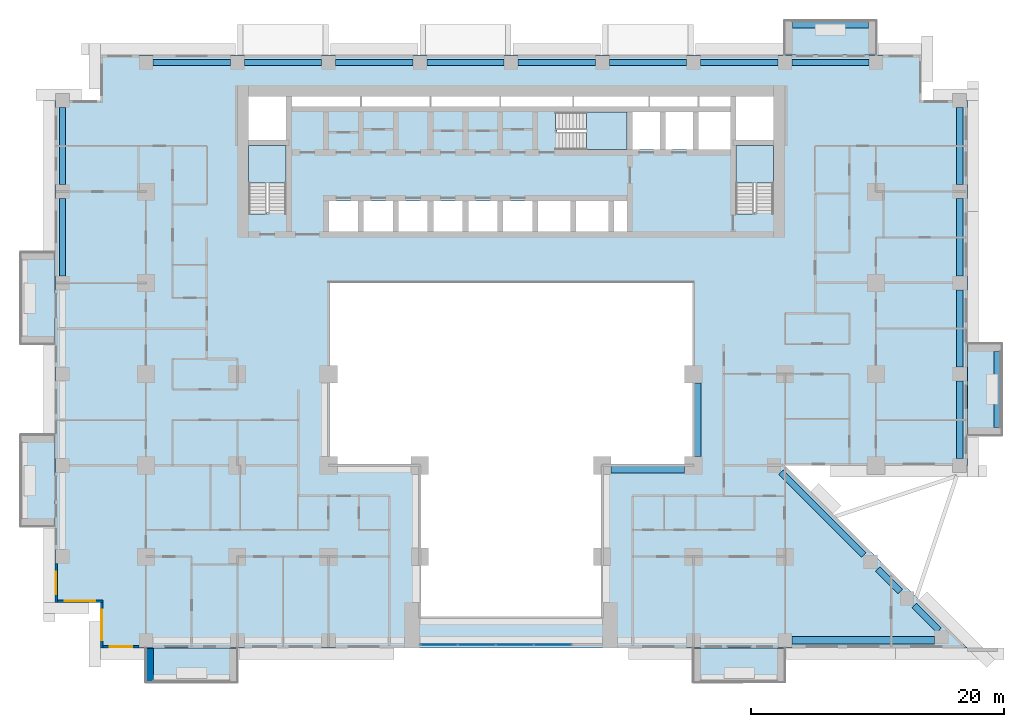
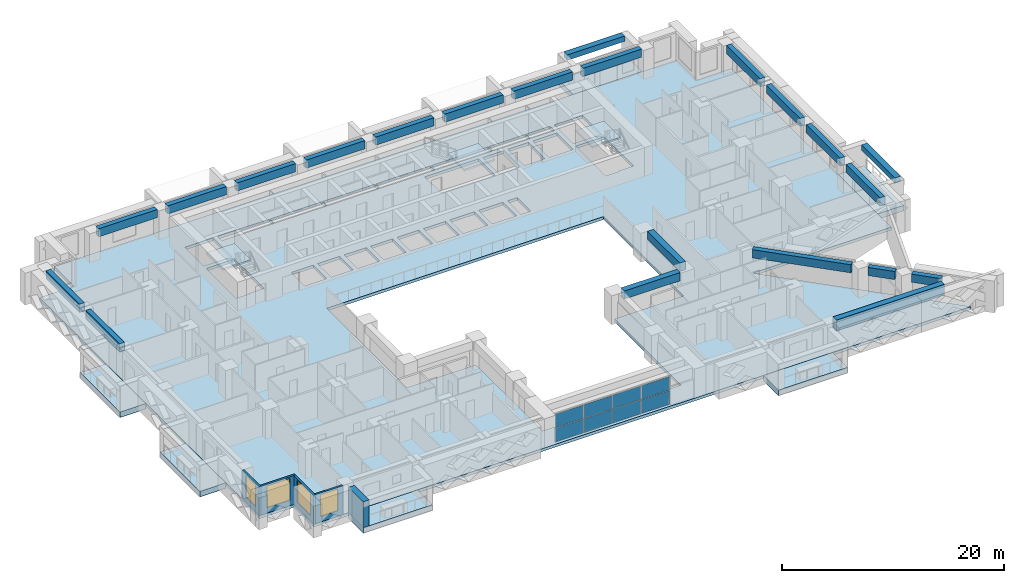
# One storey, part 5 of 16: 22 beams, 10 slabs, 8 plates, 5 walls, 4 windows, 4 openings, 4 elements without a shape of their own.
"""IFC4 building model written with IfcOpenShell, lengths in metres."""

from ifc_helpers import new_model, si_unit, direction, frame, frame_2d, origin, origin_2d, place, context, subcontext, project, spatial, polyline, rectangle, outline, extrude, source, transform, mapped, material, layer, layer_set, material_profile, profile_set, type_object, element, fill, aggregate, save


model = new_model("IFC4")

# Units and contexts
model_context = context("Model", 3, precision=1e-05, world=origin(), true_north=direction((0.0, 1.0)))
body_context = subcontext(model_context, "Body", "Model", "MODEL_VIEW")
ifc_project = project(units=[si_unit("LENGTHUNIT", "METRE"), si_unit("AREAUNIT", "SQUARE_METRE"), si_unit("VOLUMEUNIT", "CUBIC_METRE"), si_unit("PLANEANGLEUNIT", "RADIAN"), si_unit("MASSUNIT", "GRAM", prefix="KILO")], contexts=[model_context])

# Site, building, storey
site_placement = place(None, origin())
site = spatial("IfcSite", under=ifc_project, at=site_placement, CompositionType="ELEMENT")
building_placement = place(site_placement, origin())
building = spatial("IfcBuilding", under=site, at=building_placement, Name="Saffron Iwan Residences", CompositionType="ELEMENT")
storey_placement = place(building_placement, frame((0.0, 0.0, 44.5)))
storey = spatial("IfcBuildingStorey", under=building, at=storey_placement, Name="L10", CompositionType="ELEMENT", Elevation=44.5)

# Beams
ifc_material_1 = material(Name="Concrete C60/75", Category="concrete")
ifc_material_profile_1 = material_profile(ifc_material_1, rectangle(XDim=0.5, YDim=0.89990234375, at=origin_2d()), Name="RC 500x900")
ifc_profile_set_1 = profile_set([ifc_material_profile_1], Name="Concrete C60/75")
beam_type_1 = type_object("IfcBeamType", Name="SPANDREL BEAM RC 500x900 C60/75 TOP 3180", PredefinedType="SPANDREL", material=ifc_profile_set_1)
shared_shape_1 = source(origin(), body_context, "Body", "SweptSolid", [
    extrude(rectangle(XDim=0.5, YDim=0.89990234375, at=origin_2d()), origin(), (0.0, 0.0, 1.0), 6.10009765625),
])
for number, where, z_axis, x_axis, name in (
    (1, (85.800048828125, 61.85009765625, 2.72998046875), (0.0, -1.0, 0.0), (1.0, 0.0, 0.0), "Spandrel beam"),
    (2, (15.0, 62.949951171875, 2.72998046875), (0.0, 1.0, 0.0), (-1.0, 0.0, 0.0), "Spandrel beam"),
    (3, (85.800048828125, 69.050048828125, 2.72998046875), (0.0, -1.0, 0.0), (1.0, 0.0, 0.0), "Spandrel beam"),
    (4, (15.0, 70.14990234375, 2.72998046875), (0.0, 1.0, 0.0), (-1.0, 0.0, 0.0), "Spandrel beam"),
    (5, (85.800048828125, 76.25, 2.72998046875), (0.0, -1.0, 0.0), (1.0, 0.0, 0.0), "Spandrel beam"),
    (6, (22.14990234375, 79.800048828125, 2.72998046875), (1.0, 0.0, 0.0), (0.0, 1.0, 0.0), "Spandrel beam"),
    (7, (43.75, 79.800048828125, 2.72998046875), (1.0, 0.0, 0.0), (0.0, 1.0, 0.0), "Spandrel beam"),
    (8, (50.949951171875, 79.800048828125, 2.72998046875), (1.0, 0.0, 0.0), (0.0, 1.0, 0.0), "Spandrel beam"),
    (9, (58.14990234375, 79.800048828125, 2.72998046875), (1.0, 0.0, 0.0), (0.0, 1.0, 0.0), "Spandrel beam"),
):
    element("IfcBeam", number, at=place(storey_placement, frame(where, z_axis=z_axis, x_axis=x_axis)), inside=storey, type_object=beam_type_1, Name=name, PredefinedType="SPANDREL", context=body_context, shape_type="MappedRepresentation", body=[
        mapped(shared_shape_1, transform((0.0, 0.0, 0.0))),
    ])
shared_shape_2 = source(origin(), body_context, "Body", "SweptSolid", [
    extrude(rectangle(XDim=0.5, YDim=0.89990234375, at=origin_2d()), origin(), (0.0, 0.0, 1.0), 6.099853515625),
])
for number, where, z_axis, x_axis, name in (
    (10, (85.800048828125, 54.64990234375, 2.72998046875), (0.0, -1.0, 0.0), (1.0, 0.0, 0.0), "Spandrel beam"),
    (11, (29.35009765625, 79.800048828125, 2.72998046875), (1.0, 0.0, 0.0), (0.0, 1.0, 0.0), "Spandrel beam"),
    (12, (36.550048828125, 79.800048828125, 2.72998046875), (1.0, 0.0, 0.0), (0.0, 1.0, 0.0), "Spandrel beam"),
    (13, (65.35009765625, 79.800048828125, 2.72998046875), (1.0, 0.0, 0.0), (0.0, 1.0, 0.0), "Spandrel beam"),
    (14, (72.550048828125, 79.800048828125, 2.72998046875), (1.0, 0.0, 0.0), (0.0, 1.0, 0.0), "Spandrel beam"),
):
    element("IfcBeam", number, at=place(storey_placement, frame(where, z_axis=z_axis, x_axis=x_axis)), inside=storey, type_object=beam_type_1, Name=name, PredefinedType="SPANDREL", context=body_context, shape_type="MappedRepresentation", body=[
        mapped(shared_shape_2, transform((0.0, 0.0, 0.0))),
    ])
shared_shape_3 = source(origin(), body_context, "Body", "SweptSolid", [
    extrude(rectangle(XDim=0.5, YDim=0.89990234375, at=origin_2d()), origin(), (0.0, 0.0, 1.0), 2.76318359375),
])
beam_1_placement = place(storey_placement, frame((82.205810546875, 36.94580078125, 2.72998046875), z_axis=(0.707106781187, -0.707106781187, 0.0), x_axis=(0.707106781187, 0.707106781187, 0.0)))
element("IfcBeam", 15, at=beam_1_placement, inside=storey, type_object=beam_type_1, Name="Spandrel beam", PredefinedType="SPANDREL", context=body_context, shape_type="MappedRepresentation", body=[
    mapped(shared_shape_3, transform((0.0, 0.0, 0.0))),
])
shared_shape_4 = source(origin(), body_context, "Body", "SweptSolid", [
    extrude(rectangle(XDim=0.5, YDim=0.89990234375, at=origin_2d()), origin(), (0.0, 0.0, 1.0), 2.517333984375),
])
beam_2_placement = place(storey_placement, frame((79.32568359375, 39.82568359375, 2.72998046875), z_axis=(0.707106781187, -0.707106781187, 0.0), x_axis=(0.707106781187, 0.707106781187, 0.0)))
element("IfcBeam", 16, at=beam_2_placement, inside=storey, type_object=beam_type_1, Name="Spandrel beam", PredefinedType="SPANDREL", context=body_context, shape_type="MappedRepresentation", body=[
    mapped(shared_shape_4, transform((0.0, 0.0, 0.0))),
])
shared_shape_5 = source(origin(), body_context, "Body", "SweptSolid", [
    extrude(rectangle(XDim=0.5, YDim=0.89990234375, at=origin_2d()), origin(), (0.0, 0.0, 1.0), 9.228759765625),
])
beam_3_placement = place(storey_placement, frame((71.699951171875, 47.451416015625, 2.72998046875), z_axis=(0.707120008149, -0.707093553977, 0.0), x_axis=(0.707093553977, 0.707120008149, 0.0)))
element("IfcBeam", 17, at=beam_3_placement, inside=storey, type_object=beam_type_1, Name="Spandrel beam", PredefinedType="SPANDREL", context=body_context, shape_type="MappedRepresentation", body=[
    mapped(shared_shape_5, transform((0.0, 0.0, 0.0))),
])
ifc_material_profile_2 = material_profile(ifc_material_1, rectangle(XDim=0.60009765625, YDim=1.199951171875, at=origin_2d()), Name="RC 600x1200")
ifc_profile_set_2 = profile_set([ifc_material_profile_2], Name="Concrete C60/75")
beam_type_2 = type_object("IfcBeamType", Name="LINTEL BEAM RC 600x1200 C60/75 TOP 3180", PredefinedType="LINTEL", material=ifc_profile_set_2)
shared_shape_6 = source(origin(), body_context, "Body", "SweptSolid", [
    extrude(rectangle(XDim=0.60009765625, YDim=1.199951171875, at=origin_2d()), origin(), (0.0, 0.0, 1.0), 11.267333984375),
])
beam_4_placement = place(storey_placement, frame((83.8173828125, 34.199951171875, 2.580078125), z_axis=(-1.0, 0.0, 0.0), x_axis=(0.0, -1.0, 0.0)))
element("IfcBeam", 18, at=beam_4_placement, inside=storey, type_object=beam_type_2, Name="Lintel beam over the iwan", PredefinedType="LINTEL", context=body_context, shape_type="MappedRepresentation", body=[
    mapped(shared_shape_6, transform((0.0, 0.0, 0.0))),
])
ifc_material_profile_3 = material_profile(ifc_material_1, rectangle(XDim=0.60009765625, YDim=0.89990234375, at=origin_2d()), Name="RC 600x900")
ifc_profile_set_3 = profile_set([ifc_material_profile_3], Name="Concrete C60/75")
beam_type_3 = type_object("IfcBeamType", Name="BEAM RC 600x900 C60/75 TOP 3180", PredefinedType="BEAM", material=ifc_profile_set_3)
shared_shape_7 = source(origin(), body_context, "Body", "SweptSolid", [
    extrude(rectangle(XDim=0.60009765625, YDim=0.89990234375, at=origin_2d()), origin(), (0.0, 0.0, 1.0), 5.800048828125),
])
for number, where, z_axis, x_axis, name in (
    (19, (64.10009765625, 47.699951171875, 2.72998046875), (-1.0, 0.0, 0.0), (0.0, -1.0, 0.0), "Atrium edge beam"),
    (20, (65.10009765625, 54.5, 2.72998046875), (0.0, -1.0, 0.0), (1.0, 0.0, 0.0), "Atrium edge beam"),
):
    element("IfcBeam", number, at=place(storey_placement, frame(where, z_axis=z_axis, x_axis=x_axis)), inside=storey, type_object=beam_type_3, Name=name, PredefinedType="BEAM", context=body_context, shape_type="MappedRepresentation", body=[
        mapped(shared_shape_7, transform((0.0, 0.0, 0.0))),
    ])
ifc_material_2 = material(Name="Concrete C50/60 white painted", Category="concrete")
ifc_material_profile_4 = material_profile(ifc_material_2, rectangle(XDim=0.60009765625, YDim=0.60009765625, at=origin_2d()), Name="BALCONY FASCIA BEAM 600 x 600")
ifc_profile_set_4 = profile_set([ifc_material_profile_4], Name="Concrete C50/60 white painted")
beam_type_4 = type_object("IfcBeamType", Name="BALCONY FASCIA BEAM 600 x 600", PredefinedType="BEAM", material=ifc_profile_set_4)
shared_shape_8 = source(origin(), body_context, "Body", "SweptSolid", [
    extrude(rectangle(XDim=0.60009765625, YDim=0.60009765625, at=origin_2d()), origin(), (0.0, 0.0, 1.0), 6.0),
])
for number, where, z_axis, x_axis, name in (
    (21, (88.800048828125, 51.0, 2.550048828125), (0.0, 1.0, 0.0), (-1.0, 0.0, 0.0), "Balcony fascia beam L10 F2-0"),
    (22, (78.60009765625, 82.800048828125, 2.550048828125), (-1.0, 0.0, 0.0), (0.0, -1.0, 0.0), "Balcony fascia beam L10 F5-0"),
):
    element("IfcBeam", number, at=place(storey_placement, frame(where, z_axis=z_axis, x_axis=x_axis)), inside=storey, type_object=beam_type_4, Name=name, PredefinedType="BEAM", context=body_context, shape_type="MappedRepresentation", body=[
        mapped(shared_shape_8, transform((0.0, 0.0, 0.0))),
    ])

# Slabs
ifc_layer_1 = layer(ifc_material_2, 0.60009765625)
ifc_layer_set_1 = layer_set([ifc_layer_1], Name="Concrete C50/60 white painted")
slab_type_1 = type_object("IfcSlabType", Name="BALCONY FRAME SLAB 600", PredefinedType="FLOOR", material=ifc_layer_set_1)
slab_1_placement = place(storey_placement, frame((0.0, 0.0, -0.60009765625)))
element("IfcSlab", 23, at=slab_1_placement, inside=storey, type_object=slab_type_1, Name="Balcony frame slab L10 F2-0", PredefinedType="FLOOR", context=body_context, shape_type="SweptSolid", body=[
    extrude(outline(polyline([(89.10009765625, 50.39990234375), (89.10009765625, 57.60009765625), (86.39990234375, 57.60009765625), (86.39990234375, 50.39990234375), (89.10009765625, 50.39990234375)])), origin(), (0.0, 0.0, 1.0), 0.60009765625),
])
slab_2_placement = place(storey_placement, frame((0.0, 0.0, -0.60009765625)))
element("IfcSlab", 24, at=slab_2_placement, inside=storey, type_object=slab_type_1, Name="Balcony frame slab L10 F5-0", PredefinedType="FLOOR", context=body_context, shape_type="SweptSolid", body=[
    extrude(outline(polyline([(79.199951171875, 83.10009765625), (72.0, 83.10009765625), (72.0, 80.39990234375), (79.199951171875, 80.39990234375), (79.199951171875, 83.10009765625)])), origin(), (0.0, 0.0, 1.0), 0.60009765625),
])
slab_3_placement = place(storey_placement, frame((0.0, 0.0, -0.60009765625)))
element("IfcSlab", 25, at=slab_3_placement, inside=storey, type_object=slab_type_1, Name="Balcony frame slab L10 F8-0", PredefinedType="FLOOR", context=body_context, shape_type="SweptSolid", body=[
    extrude(outline(polyline([(11.699951171875, 64.800048828125), (11.699951171875, 57.60009765625), (14.39990234375, 57.60009765625), (14.39990234375, 64.800048828125), (11.699951171875, 64.800048828125)])), origin(), (0.0, 0.0, 1.0), 0.60009765625),
])
slab_4_placement = place(storey_placement, frame((0.0, 0.0, -0.60009765625)))
element("IfcSlab", 26, at=slab_4_placement, inside=storey, type_object=slab_type_1, Name="Balcony frame slab L10 F8-1", PredefinedType="FLOOR", context=body_context, shape_type="SweptSolid", body=[
    extrude(outline(polyline([(11.699951171875, 50.39990234375), (11.699951171875, 43.199951171875), (14.39990234375, 43.199951171875), (14.39990234375, 50.39990234375), (11.699951171875, 50.39990234375)])), origin(), (0.0, 0.0, 1.0), 0.60009765625),
])
slab_5_placement = place(storey_placement, frame((0.0, 0.0, -0.60009765625)))
element("IfcSlab", 27, at=slab_5_placement, inside=storey, type_object=slab_type_1, Name="Balcony frame slab L10 11-0", PredefinedType="FLOOR", context=body_context, shape_type="SweptSolid", body=[
    extrude(outline(polyline([(21.60009765625, 30.89990234375), (28.800048828125, 30.89990234375), (28.800048828125, 33.60009765625), (21.60009765625, 33.60009765625), (21.60009765625, 30.89990234375)])), origin(), (0.0, 0.0, 1.0), 0.60009765625),
])
slab_6_placement = place(storey_placement, frame((0.0, 0.0, -0.60009765625)))
element("IfcSlab", 28, at=slab_6_placement, inside=storey, type_object=slab_type_1, Name="Balcony frame slab L10 11-1", PredefinedType="FLOOR", context=body_context, shape_type="SweptSolid", body=[
    extrude(outline(polyline([(64.800048828125, 30.89990234375), (72.0, 30.89990234375), (72.0, 33.60009765625), (64.800048828125, 33.60009765625), (64.800048828125, 30.89990234375)])), origin(), (0.0, 0.0, 1.0), 0.60009765625),
])
ifc_material_3 = material(Name="Concrete C40/50", Category="concrete")
ifc_layer_2 = layer(ifc_material_3, 0.320068359375)
ifc_layer_set_2 = layer_set([ifc_layer_2], Name="Concrete C40/50")
slab_type_2 = type_object("IfcSlabType", Name="PT PLATE 320 C40/50", PredefinedType="FLOOR", material=ifc_layer_set_2)
slab_7_placement = place(storey_placement, frame((0.0, 0.0, -0.320068359375)))
element("IfcSlab", 29, at=slab_7_placement, inside=storey, type_object=slab_type_2, Name="Floor slab L10", PredefinedType="FLOOR", context=body_context, shape_type="SweptSolid", body=[
    extrude(outline(polyline([(14.39990234375, 37.199951171875), (14.39990234375, 76.800048828125), (18.0, 76.800048828125), (18.0, 80.39990234375), (82.800048828125, 80.39990234375), (82.800048828125, 76.800048828125), (86.39990234375, 76.800048828125), (86.39990234375, 48.0), (72.0, 48.0), (86.39990234375, 33.60009765625), (18.0, 33.60009765625), (18.0, 37.199951171875), (14.39990234375, 37.199951171875)]), holes=[polyline([(64.800048828125, 48.0), (64.800048828125, 62.39990234375), (36.0, 62.39990234375), (36.0, 48.0), (43.199951171875, 48.0), (43.199951171875, 36.0), (57.60009765625, 36.0), (57.60009765625, 48.0), (64.800048828125, 48.0)]), polyline([(38.324951171875, 68.875), (36.02490234375, 68.875), (36.02490234375, 66.449951171875), (38.324951171875, 66.449951171875), (38.324951171875, 68.875)]), polyline([(41.074951171875, 66.449951171875), (41.074951171875, 68.875), (38.77490234375, 68.875), (38.77490234375, 66.449951171875), (41.074951171875, 66.449951171875)]), polyline([(43.824951171875, 66.449951171875), (43.824951171875, 68.875), (41.52490234375, 68.875), (41.52490234375, 66.449951171875), (43.824951171875, 66.449951171875)]), polyline([(46.574951171875, 68.875), (44.27490234375, 68.875), (44.27490234375, 66.449951171875), (46.574951171875, 66.449951171875), (46.574951171875, 68.875)]), polyline([(49.324951171875, 66.449951171875), (49.324951171875, 68.875), (47.02490234375, 68.875), (47.02490234375, 66.449951171875), (49.324951171875, 66.449951171875)]), polyline([(52.074951171875, 66.449951171875), (52.074951171875, 68.875), (49.77490234375, 68.875), (49.77490234375, 66.449951171875), (52.074951171875, 66.449951171875)]), polyline([(29.699951171875, 73.25), (29.699951171875, 67.949951171875), (29.699951171875, 67.8505859375), (31.10009765625, 67.8505859375), (31.10009765625, 67.949951171875), (32.64990234375, 67.949951171875), (32.64990234375, 73.25), (29.699951171875, 73.25)]), polyline([(32.64990234375, 73.699951171875), (32.64990234375, 77.10009765625), (29.699951171875, 77.10009765625), (29.699951171875, 73.699951171875), (32.64990234375, 73.699951171875)]), polyline([(38.5, 76.324951171875), (38.5, 77.10009765625), (33.10009765625, 77.10009765625), (33.10009765625, 76.324951171875), (38.5, 76.324951171875)]), polyline([(44.0, 77.10009765625), (38.60009765625, 77.10009765625), (38.60009765625, 76.324951171875), (44.0, 76.324951171875), (44.0, 77.10009765625)]), polyline([(49.5, 76.324951171875), (49.5, 77.10009765625), (44.10009765625, 77.10009765625), (44.10009765625, 76.324951171875), (49.5, 76.324951171875)]), polyline([(55.25, 76.324951171875), (55.25, 77.10009765625), (49.60009765625, 77.10009765625), (49.60009765625, 76.324951171875), (55.25, 76.324951171875)]), polyline([(55.074951171875, 68.875), (52.52490234375, 68.875), (52.52490234375, 66.449951171875), (55.074951171875, 66.449951171875), (55.074951171875, 68.875)]), polyline([(58.074951171875, 66.449951171875), (58.074951171875, 68.875), (55.52490234375, 68.875), (55.52490234375, 66.449951171875), (58.074951171875, 66.449951171875)]), polyline([(59.550048828125, 66.449951171875), (59.550048828125, 68.875), (58.52490234375, 68.875), (58.52490234375, 66.449951171875), (59.550048828125, 66.449951171875)]), polyline([(68.14990234375, 73.25), (68.14990234375, 67.949951171875), (68.14990234375, 67.8505859375), (69.550048828125, 67.8505859375), (69.550048828125, 67.949951171875), (71.10009765625, 67.949951171875), (71.10009765625, 73.25), (68.14990234375, 73.25)]), polyline([(53.925537109375, 74.47509765625), (54.02490234375, 74.47509765625), (54.02490234375, 72.925048828125), (59.550048828125, 72.925048828125), (59.550048828125, 75.875), (54.02490234375, 75.875), (53.925537109375, 75.875), (53.925537109375, 74.47509765625)]), polyline([(62.14990234375, 72.925048828125), (62.14990234375, 75.875), (60.0, 75.875), (60.0, 72.925048828125), (62.14990234375, 72.925048828125)]), polyline([(64.75, 75.875), (62.60009765625, 75.875), (62.60009765625, 72.925048828125), (64.75, 72.925048828125), (64.75, 75.875)]), polyline([(67.699951171875, 72.925048828125), (67.699951171875, 75.875), (65.199951171875, 75.875), (65.199951171875, 72.925048828125), (67.699951171875, 72.925048828125)]), polyline([(71.10009765625, 73.699951171875), (71.10009765625, 77.10009765625), (68.14990234375, 77.10009765625), (68.14990234375, 73.699951171875), (71.10009765625, 73.699951171875)]), polyline([(61.25, 77.10009765625), (55.35009765625, 77.10009765625), (55.35009765625, 76.324951171875), (61.25, 76.324951171875), (61.25, 77.10009765625)]), polyline([(65.14990234375, 76.324951171875), (65.14990234375, 77.10009765625), (61.35009765625, 77.10009765625), (61.35009765625, 76.324951171875), (65.14990234375, 76.324951171875)]), polyline([(67.699951171875, 76.324951171875), (67.699951171875, 77.10009765625), (65.25, 77.10009765625), (65.25, 76.324951171875), (67.699951171875, 76.324951171875)])]), origin(), (0.0, 0.0, 1.0), 0.320068359375),
])

# Stair, slab
ifc_material_4 = material(Name="Concrete C50/60", Category="concrete")
stair_type = type_object("IfcStairType", Name="Stair ST-CORE", PredefinedType="HALF_TURN_STAIR", material=ifc_material_4)
stair_1_placement = place(storey_placement, origin())
stair_1 = element("IfcStair", 30, at=stair_1_placement, inside=storey, type_object=stair_type, Name="L10 Exit Stair ST-W", PredefinedType="HALF_TURN_STAIR")
ifc_layer_3 = layer(ifc_material_4, 0.199951171875)
ifc_layer_set_3 = layer_set([ifc_layer_3], Name="Concrete C50/60")
slab_type_3 = type_object("IfcSlabType", Name="Stair landing SL-RC", PredefinedType="LANDING", material=ifc_layer_set_3)
slab_8_placement = place(storey_placement, frame((0.0, 0.0, 1.5498046875)))
slab_8 = element("IfcSlab", 31, at=slab_8_placement, type_object=slab_type_3, Name="ST-W landing 1", PredefinedType="LANDING", context=body_context, shape_type="SweptSolid", body=[
    extrude(outline(polyline([(32.64990234375, 70.280029296875), (32.64990234375, 73.25), (29.699951171875, 73.25), (29.699951171875, 70.280029296875), (32.64990234375, 70.280029296875)])), origin(), (0.0, 0.0, 1.0), 0.2001953125),
])
aggregate(stair_1, [slab_8])

stair_2_placement = place(storey_placement, origin())
stair_2 = element("IfcStair", 32, at=stair_2_placement, inside=storey, type_object=stair_type, Name="L10 Exit Stair ST-C", PredefinedType="HALF_TURN_STAIR")
slab_9_placement = place(storey_placement, frame((0.0, 0.0, 1.5498046875)))
slab_9 = element("IfcSlab", 33, at=slab_9_placement, type_object=slab_type_3, Name="ST-C landing 1", PredefinedType="LANDING", context=body_context, shape_type="SweptSolid", body=[
    extrude(outline(polyline([(56.35498046875, 72.925048828125), (59.550048828125, 72.925048828125), (59.550048828125, 75.875), (56.35498046875, 75.875), (56.35498046875, 72.925048828125)])), origin(), (0.0, 0.0, 1.0), 0.2001953125),
])
aggregate(stair_2, [slab_9])

stair_3_placement = place(storey_placement, origin())
stair_3 = element("IfcStair", 34, at=stair_3_placement, inside=storey, type_object=stair_type, Name="L10 Exit Stair ST-E", PredefinedType="HALF_TURN_STAIR")
slab_10_placement = place(storey_placement, frame((0.0, 0.0, 1.5498046875)))
slab_10 = element("IfcSlab", 35, at=slab_10_placement, type_object=slab_type_3, Name="ST-E landing 1", PredefinedType="LANDING", context=body_context, shape_type="SweptSolid", body=[
    extrude(outline(polyline([(71.10009765625, 70.280029296875), (71.10009765625, 73.25), (68.14990234375, 73.25), (68.14990234375, 70.280029296875), (71.10009765625, 70.280029296875)])), origin(), (0.0, 0.0, 1.0), 0.2001953125),
])
aggregate(stair_3, [slab_10])

# Curtain wall, plates
ifc_material_5 = material(Name="Clear glass, laminated double glazed", Category="glass")
ifc_layer_4 = layer(ifc_material_5, 0.199951171875)
ifc_layer_set_4 = layer_set([ifc_layer_4], Name="Clear glass, laminated double glazed")
curtain_wall_type = type_object("IfcCurtainWallType", Name="CW-B IWAN PORTAL", PredefinedType="NOTDEFINED", material=ifc_layer_set_4)
curtain_wall_placement = place(storey_placement, origin())
curtain_wall = element("IfcCurtainWall", 36, at=curtain_wall_placement, inside=storey, type_object=curtain_wall_type, Name="Iwan portal glazing L10.1", PredefinedType="NOTDEFINED")
ifc_layer_5 = layer(ifc_material_5, 0.028076171875)
ifc_layer_set_5 = layer_set([ifc_layer_5], Name="Clear glass, laminated double glazed")
plate_type = type_object("IfcPlateType", Name="CW-B PANEL 28", PredefinedType="CURTAIN_PANEL", material=ifc_layer_set_5)
shared_shape_9 = source(origin(), body_context, "Body", "SweptSolid", [
    extrude(rectangle(XDim=2.909912109375, YDim=0.028076171875, at=origin_2d()), origin(), (0.0, 0.0, 1.0), 1.5),
])
plate_1_placement = place(storey_placement, frame((44.715087890625, 33.85009765625, 0.06005859375), z_axis=(0.0, 0.0, 1.0), x_axis=(1.0, 0.0, 0.0)))
plate_1 = element("IfcPlate", 37, at=plate_1_placement, type_object=plate_type, Name="CW-B panel 1.1", PredefinedType="CURTAIN_PANEL", context=body_context, shape_type="MappedRepresentation", body=[
    mapped(shared_shape_9, transform((0.0, 0.0, 0.0))),
])
plate_2_placement = place(storey_placement, frame((44.715087890625, 33.85009765625, 1.6201171875), z_axis=(0.0, 0.0, 1.0), x_axis=(1.0, 0.0, 0.0)))
plate_2 = element("IfcPlate", 38, at=plate_2_placement, type_object=plate_type, Name="CW-B panel 1.2", PredefinedType="CURTAIN_PANEL", context=body_context, shape_type="MappedRepresentation", body=[
    mapped(shared_shape_9, transform((0.0, 0.0, 0.0))),
])
plate_3_placement = place(storey_placement, frame((53.68505859375, 33.85009765625, 0.06005859375), z_axis=(0.0, 0.0, 1.0), x_axis=(1.0, 0.0, 0.0)))
plate_3 = element("IfcPlate", 39, at=plate_3_placement, type_object=plate_type, Name="CW-B panel 4.1", PredefinedType="CURTAIN_PANEL", context=body_context, shape_type="MappedRepresentation", body=[
    mapped(shared_shape_9, transform((0.0, 0.0, 0.0))),
])
plate_4_placement = place(storey_placement, frame((53.68505859375, 33.85009765625, 1.6201171875), z_axis=(0.0, 0.0, 1.0), x_axis=(1.0, 0.0, 0.0)))
plate_4 = element("IfcPlate", 40, at=plate_4_placement, type_object=plate_type, Name="CW-B panel 4.2", PredefinedType="CURTAIN_PANEL", context=body_context, shape_type="MappedRepresentation", body=[
    mapped(shared_shape_9, transform((0.0, 0.0, 0.0))),
])
shared_shape_10 = source(origin(), body_context, "Body", "SweptSolid", [
    extrude(rectangle(XDim=2.93994140625, YDim=0.028076171875, at=origin_2d()), origin(), (0.0, 0.0, 1.0), 1.5),
])
plate_5_placement = place(storey_placement, frame((47.699951171875, 33.85009765625, 0.06005859375), z_axis=(0.0, 0.0, 1.0), x_axis=(1.0, 0.0, 0.0)))
plate_5 = element("IfcPlate", 41, at=plate_5_placement, type_object=plate_type, Name="CW-B panel 2.1", PredefinedType="CURTAIN_PANEL", context=body_context, shape_type="MappedRepresentation", body=[
    mapped(shared_shape_10, transform((0.0, 0.0, 0.0))),
])
plate_6_placement = place(storey_placement, frame((47.699951171875, 33.85009765625, 1.6201171875), z_axis=(0.0, 0.0, 1.0), x_axis=(1.0, 0.0, 0.0)))
plate_6 = element("IfcPlate", 42, at=plate_6_placement, type_object=plate_type, Name="CW-B panel 2.2", PredefinedType="CURTAIN_PANEL", context=body_context, shape_type="MappedRepresentation", body=[
    mapped(shared_shape_10, transform((0.0, 0.0, 0.0))),
])
plate_7_placement = place(storey_placement, frame((50.699951171875, 33.85009765625, 0.06005859375), z_axis=(0.0, 0.0, 1.0), x_axis=(1.0, 0.0, 0.0)))
plate_7 = element("IfcPlate", 43, at=plate_7_placement, type_object=plate_type, Name="CW-B panel 3.1", PredefinedType="CURTAIN_PANEL", context=body_context, shape_type="MappedRepresentation", body=[
    mapped(shared_shape_10, transform((0.0, 0.0, 0.0))),
])
plate_8_placement = place(storey_placement, frame((50.699951171875, 33.85009765625, 1.6201171875), z_axis=(0.0, 0.0, 1.0), x_axis=(1.0, 0.0, 0.0)))
plate_8 = element("IfcPlate", 44, at=plate_8_placement, type_object=plate_type, Name="CW-B panel 3.2", PredefinedType="CURTAIN_PANEL", context=body_context, shape_type="MappedRepresentation", body=[
    mapped(shared_shape_10, transform((0.0, 0.0, 0.0))),
])
aggregate(curtain_wall, [plate_1, plate_2, plate_5, plate_6, plate_7, plate_8, plate_3, plate_4])

# Wall
ifc_layer_6 = layer(ifc_material_2, 0.60009765625)
ifc_layer_set_6 = layer_set([ifc_layer_6], Name="Concrete C50/60 white painted")
wall_type_1 = type_object("IfcWallType", Name="BALCONY FIN 600", PredefinedType="SOLIDWALL", material=ifc_layer_set_6)
wall_1_placement = place(storey_placement, frame((21.89990234375, 33.550048828125, 0.0), z_axis=(0.0, 0.0, 1.0), x_axis=(0.0, -1.0, 0.0)))
element("IfcWall", 45, at=wall_1_placement, inside=storey, type_object=wall_type_1, Name="Balcony fin L10 11-0a", PredefinedType="SOLIDWALL", context=body_context, shape_type="SweptSolid", body=[
    extrude(rectangle(XDim=2.650146484375, YDim=0.60009765625, at=frame_2d((1.3251953125, 0.0))), origin(), (0.0, 0.0, 1.0), 2.85009765625),
])

# Wall, opening, window
ifc_layer_7 = layer(ifc_material_3, 0.199951171875)
ifc_layer_set_7 = layer_set([ifc_layer_7], Name="Concrete C40/50")
wall_type_2 = type_object("IfcWallType", Name="EXTERNAL WALL 200", PredefinedType="SOLIDWALL", material=ifc_layer_set_7)
wall_2_placement = place(storey_placement, frame((14.5, 40.25, 0.0), z_axis=(0.0, 0.0, 1.0), x_axis=(0.0, -1.0, 0.0)))
wall_2 = element("IfcWall", 46, at=wall_2_placement, inside=storey, type_object=wall_type_2, Name="External wall L10 F8.5", PredefinedType="SOLIDWALL", context=body_context, shape_type="SweptSolid", body=[
    extrude(rectangle(XDim=3.050048828125, YDim=0.199951171875, at=frame_2d((1.52490234375, 0.0))), origin(), (0.0, 0.0, 1.0), 3.179931640625),
])
opening_1_placement = place(wall_2_placement, frame((0.625, 0.0, 0.60009765625)))
opening_1 = element("IfcOpeningElement", 47, at=opening_1_placement, cuts=wall_2, Name="Opening W8", PredefinedType="OPENING", context=body_context, shape_type="SweptSolid", body=[
    extrude(rectangle(XDim=1.800048828125, YDim=2.39990234375, at=frame_2d((0.89990234375, 1.199951171875))), frame((0.0, 0.10986328125, 0.0), z_axis=(0.0, -1.0, 0.0), x_axis=(1.0, 0.0, 0.0)), (0.0, 0.0, 1.0), 0.219970703125),
])
window_type_1 = type_object("IfcWindowType", Name="WINDOW 1800 x 2400", PartitioningType="DOUBLE_PANEL_VERTICAL", PredefinedType="WINDOW", material=ifc_material_5)
window_1_placement = place(opening_1_placement, origin())
window_1 = element("IfcWindow", 48, at=window_1_placement, inside=storey, type_object=window_type_1, Name="Window L10 F8.0", OverallHeight=2.39990234375, OverallWidth=1.800048828125, PartitioningType="DOUBLE_PANEL_VERTICAL", PredefinedType="WINDOW", context=body_context, shape_type="SweptSolid", body=[
    extrude(rectangle(XDim=1.800048828125, YDim=2.39990234375, at=frame_2d((0.89990234375, 1.199951171875))), frame((0.0, 0.030029296875, 0.0), z_axis=(0.0, -1.0, 0.0), x_axis=(1.0, 0.0, 0.0)), (0.0, 0.0, 1.0), 0.06005859375),
])
fill(opening_1, window_1)

wall_3_placement = place(storey_placement, frame((14.60009765625, 37.300048828125, 0.0), z_axis=(0.0, 0.0, 1.0), x_axis=(1.0, 0.0, 0.0)))
wall_3 = element("IfcWall", 49, at=wall_3_placement, inside=storey, type_object=wall_type_2, Name="External wall L10 F9.0", PredefinedType="SOLIDWALL", context=body_context, shape_type="SweptSolid", body=[
    extrude(rectangle(XDim=3.599853515625, YDim=0.199951171875, at=frame_2d((1.7998046875, 0.0))), origin(), (0.0, 0.0, 1.0), 3.179931640625),
])
opening_2_placement = place(wall_3_placement, frame((0.60009765625, 0.0, 0.60009765625)))
opening_2 = element("IfcOpeningElement", 50, at=opening_2_placement, cuts=wall_3, Name="Opening W1", PredefinedType="OPENING", context=body_context, shape_type="SweptSolid", body=[
    extrude(rectangle(XDim=2.39990234375, YDim=2.39990234375, at=frame_2d((1.199951171875, 1.199951171875))), frame((0.0, 0.10986328125, 0.0), z_axis=(0.0, -1.0, 0.0), x_axis=(1.0, 0.0, 0.0)), (0.0, 0.0, 1.0), 0.219970703125),
])
window_type_2 = type_object("IfcWindowType", Name="WINDOW 2400 x 2400", PartitioningType="DOUBLE_PANEL_VERTICAL", PredefinedType="WINDOW", material=ifc_material_5)
window_2_placement = place(opening_2_placement, origin())
window_2 = element("IfcWindow", 51, at=window_2_placement, inside=storey, type_object=window_type_2, Name="Window L10 F9.0", OverallHeight=2.39990234375, OverallWidth=2.39990234375, PartitioningType="DOUBLE_PANEL_VERTICAL", PredefinedType="WINDOW", context=body_context, shape_type="SweptSolid", body=[
    extrude(rectangle(XDim=2.39990234375, YDim=2.39990234375, at=frame_2d((1.199951171875, 1.199951171875))), frame((0.0, 0.030029296875, 0.0), z_axis=(0.0, -1.0, 0.0), x_axis=(1.0, 0.0, 0.0)), (0.0, 0.0, 1.0), 0.06005859375),
])
fill(opening_2, window_2)

wall_4_placement = place(storey_placement, frame((18.10009765625, 37.199951171875, 0.0), z_axis=(0.0, 0.0, 1.0), x_axis=(0.0, -1.0, 0.0)))
wall_4 = element("IfcWall", 52, at=wall_4_placement, inside=storey, type_object=wall_type_2, Name="External wall L10 F10.0", PredefinedType="SOLIDWALL", context=body_context, shape_type="SweptSolid", body=[
    extrude(rectangle(XDim=3.599853515625, YDim=0.199951171875, at=frame_2d((1.7998046875, 0.0))), origin(), (0.0, 0.0, 1.0), 3.179931640625),
])
opening_3_placement = place(wall_4_placement, frame((0.60009765625, 0.0, 0.60009765625)))
opening_3 = element("IfcOpeningElement", 53, at=opening_3_placement, cuts=wall_4, Name="Opening W1", PredefinedType="OPENING", context=body_context, shape_type="SweptSolid", body=[
    extrude(rectangle(XDim=2.39990234375, YDim=2.39990234375, at=frame_2d((1.199951171875, 1.199951171875))), frame((0.0, 0.10986328125, 0.0), z_axis=(0.0, -1.0, 0.0), x_axis=(1.0, 0.0, 0.0)), (0.0, 0.0, 1.0), 0.219970703125),
])
window_3_placement = place(opening_3_placement, origin())
window_3 = element("IfcWindow", 54, at=window_3_placement, inside=storey, type_object=window_type_2, Name="Window L10 F10.0", OverallHeight=2.39990234375, OverallWidth=2.39990234375, PartitioningType="DOUBLE_PANEL_VERTICAL", PredefinedType="WINDOW", context=body_context, shape_type="SweptSolid", body=[
    extrude(rectangle(XDim=2.39990234375, YDim=2.39990234375, at=frame_2d((1.199951171875, 1.199951171875))), frame((0.0, 0.030029296875, 0.0), z_axis=(0.0, -1.0, 0.0), x_axis=(1.0, 0.0, 0.0)), (0.0, 0.0, 1.0), 0.06005859375),
])
fill(opening_3, window_3)

wall_5_placement = place(storey_placement, frame((18.199951171875, 33.699951171875, 0.0), z_axis=(0.0, 0.0, 1.0), x_axis=(1.0, 0.0, 0.0)))
wall_5 = element("IfcWall", 55, at=wall_5_placement, inside=storey, type_object=wall_type_2, Name="External wall L10 F11.0", PredefinedType="SOLIDWALL", context=body_context, shape_type="SweptSolid", body=[
    extrude(rectangle(XDim=2.85009765625, YDim=0.199951171875, at=frame_2d((1.425048828125, 0.0))), origin(), (0.0, 0.0, 1.0), 3.179931640625),
])
opening_4_placement = place(wall_5_placement, frame((0.52490234375, 0.0, 0.60009765625)))
opening_4 = element("IfcOpeningElement", 56, at=opening_4_placement, cuts=wall_5, Name="Opening W8", PredefinedType="OPENING", context=body_context, shape_type="SweptSolid", body=[
    extrude(rectangle(XDim=1.800048828125, YDim=2.39990234375, at=frame_2d((0.89990234375, 1.199951171875))), frame((0.0, 0.10986328125, 0.0), z_axis=(0.0, -1.0, 0.0), x_axis=(1.0, 0.0, 0.0)), (0.0, 0.0, 1.0), 0.219970703125),
])
window_4_placement = place(opening_4_placement, origin())
window_4 = element("IfcWindow", 57, at=window_4_placement, inside=storey, type_object=window_type_1, Name="Window L10 F11.0", OverallHeight=2.39990234375, OverallWidth=1.800048828125, PartitioningType="DOUBLE_PANEL_VERTICAL", PredefinedType="WINDOW", context=body_context, shape_type="SweptSolid", body=[
    extrude(rectangle(XDim=1.800048828125, YDim=2.39990234375, at=frame_2d((0.89990234375, 1.199951171875))), frame((0.0, 0.030029296875, 0.0), z_axis=(0.0, -1.0, 0.0), x_axis=(1.0, 0.0, 0.0)), (0.0, 0.0, 1.0), 0.06005859375),
])
fill(opening_4, window_4)

save(model, "model.ifc")
